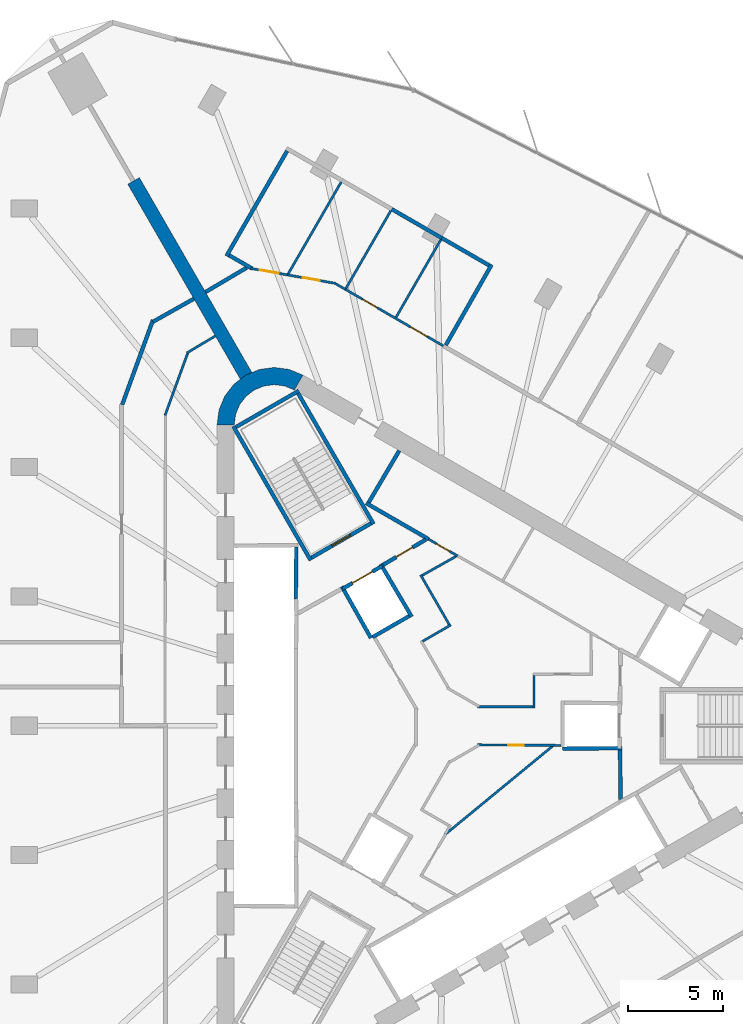
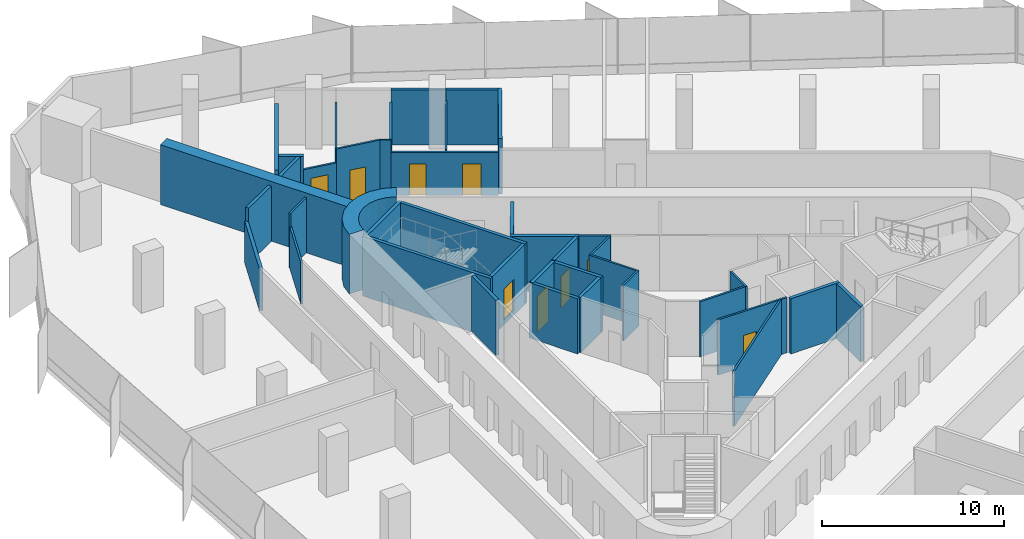
# One storey, part 10 of 14: 41 walls, 9 doors, 9 openings.
"""IFC4 building model written with IfcOpenShell, lengths in metres."""

from ifc_helpers import new_model, si_unit, direction, frame, frame_2d, origin, place, context, subcontext, project, spatial, polyline, rectangle, outline, extrude, material, layer, layer_set, type_object, element, fill, save


model = new_model("IFC4")

# Units and contexts
model_context = context("Model", 3, precision=1e-05, world=origin(), true_north=direction((0.0, 1.0)))
body_context = subcontext(model_context, "Body", "Model", "MODEL_VIEW")
ifc_project = project(units=[si_unit("LENGTHUNIT", "METRE"), si_unit("AREAUNIT", "SQUARE_METRE"), si_unit("VOLUMEUNIT", "CUBIC_METRE"), si_unit("PLANEANGLEUNIT", "RADIAN"), si_unit("MASSUNIT", "GRAM", prefix="KILO")], contexts=[model_context])

# Site, building, storey
site_placement = place(None, origin())
site = spatial("IfcSite", under=ifc_project, at=site_placement, CompositionType="ELEMENT")
building_placement = place(site_placement, origin())
building = spatial("IfcBuilding", under=site, at=building_placement, Name="Tanit Gate Tower", CompositionType="ELEMENT")
storey_placement = place(building_placement, frame((0.0, 0.0, 209.199951171875)))
storey = spatial("IfcBuildingStorey", under=building, at=storey_placement, Name="L46", CompositionType="ELEMENT", Elevation=209.199951171875)

# Walls
ifc_material_1 = material(Name="Concrete C50/60", Category="concrete")
ifc_layer_1 = layer(ifc_material_1, 0.699951171875)
ifc_layer_set_1 = layer_set([ifc_layer_1], Name="BUTTRESS FIN 700 C50/60")
wall_type_1 = type_object("IfcWallType", Name="BUTTRESS FIN 700 C50/60", PredefinedType="SHEAR", material=ifc_layer_set_1)
wall_1_placement = place(storey_placement, frame((-10.574951171875, 18.31640625, 0.0), z_axis=(0.0, 0.0, 1.0), x_axis=(-0.499999598486, 0.866025635599, 0.0)))
element("IfcWall", 1, at=wall_1_placement, inside=storey, type_object=wall_type_1, Name="BUTTRESS FIN", PredefinedType="SHEAR", context=body_context, shape_type="SweptSolid", body=[
    extrude(rectangle(XDim=11.7939453125, YDim=0.699951171875, at=frame_2d((5.89697265625, 0.0))), origin(), (0.0, 0.0, 1.0), 4.0),
])
ifc_material_2 = material(Name="Concrete C50/60", Category="concrete")
ifc_layer_2 = layer(ifc_material_2, 0.89990234375)
ifc_layer_set_2 = layer_set([ifc_layer_2], Name="CORE WALL 900 C50/60")
wall_type_2 = type_object("IfcWallType", Name="CORE WALL 900 C50/60", PredefinedType="SHEAR", material=ifc_layer_set_2)
wall_2_placement = place(storey_placement, origin())
element("IfcWall", 2, at=wall_2_placement, inside=storey, type_object=wall_type_2, Name="CORE WALL CORNER", PredefinedType="SHEAR", context=body_context, shape_type="SweptSolid", body=[
    extrude(outline(polyline([(-7.60009765625, 18.359619140625), (-8.323486328125, 18.659423828125), (-9.10009765625, 18.76171875), (-9.87646484375, 18.659423828125), (-10.60009765625, 18.359619140625), (-11.22119140625, 17.883056640625), (-11.697998046875, 17.26171875), (-11.997802734375, 16.5380859375), (-12.10009765625, 15.76171875), (-11.199951171875, 15.76171875), (-11.12841796875, 16.30517578125), (-10.918701171875, 16.811767578125), (-10.5849609375, 17.24658203125), (-10.14990234375, 17.580322265625), (-9.6435546875, 17.7900390625), (-9.10009765625, 17.86181640625), (-8.556396484375, 17.7900390625), (-8.050048828125, 17.580322265625), (-7.60009765625, 18.359619140625)])), origin(), (0.0, 0.0, 1.0), 4.0),
])
ifc_material_3 = material(Name="Fire-rated gypsum board partition")
ifc_layer_3 = layer(ifc_material_3, 0.199951171875)
ifc_layer_set_3 = layer_set([ifc_layer_3], Name="INT-WALL-COMPARTMENT")
wall_type_3 = type_object("IfcWallType", Name="INT-WALL-COMPARTMENT", PredefinedType="PARTITIONING", material=ifc_layer_set_3)
wall_3_placement = place(storey_placement, frame((-4.295654296875, 11.659912109375, 0.0), z_axis=(0.0, 0.0, 1.0), x_axis=(0.866027389382, -0.499996560828, 0.0)))
element("IfcWall", 3, at=wall_3_placement, inside=storey, type_object=wall_type_3, Name="Wall Compartment W053", PredefinedType="PARTITIONING", context=body_context, shape_type="SweptSolid", body=[
    extrude(rectangle(XDim=3.77783203125, YDim=0.199951171875, at=frame_2d((1.888916015625, 0.0))), origin(), (0.0, 0.0, 1.0), 3.699951171875),
])
wall_4_placement = place(storey_placement, frame((-2.557861328125, 14.409423828125, 0.0), z_axis=(0.0, 0.0, 1.0), x_axis=(-0.508018930956, -0.861345903683, 0.0)))
element("IfcWall", 4, at=wall_4_placement, inside=storey, type_object=wall_type_3, Name="Wall Compartment W054", PredefinedType="PARTITIONING", context=body_context, shape_type="SweptSolid", body=[
    extrude(rectangle(XDim=3.150146484375, YDim=0.199951171875, at=frame_2d((1.5751953125, 0.0))), origin(), (0.0, 0.0, 1.0), 3.699951171875),
])
wall_5_placement = place(storey_placement, frame((9.02880859375, -3.8505859375, 0.0), z_axis=(0.0, 0.0, 1.0), x_axis=(-0.010784614026, 0.999941844359, 0.0)))
element("IfcWall", 5, at=wall_5_placement, inside=storey, type_object=wall_type_3, Name="Wall Compartment W059", PredefinedType="PARTITIONING", context=body_context, shape_type="SweptSolid", body=[
    extrude(rectangle(XDim=2.580810546875, YDim=0.199951171875, at=frame_2d((1.29052734375, 0.0))), origin(), (0.0, 0.0, 1.0), 3.699951171875),
])

# Wall, opening, door
wall_6_placement = place(storey_placement, frame((-1.1787109375, 9.744873046875, 0.0), z_axis=(0.0, 0.0, 1.0), x_axis=(-0.860630814782, -0.509229418482, 0.0)))
wall_6 = element("IfcWall", 6, at=wall_6_placement, inside=storey, type_object=wall_type_3, Name="Wall Compartment W062", PredefinedType="PARTITIONING", context=body_context, shape_type="SweptSolid", body=[
    extrude(rectangle(XDim=2.581787109375, YDim=0.199951171875, at=frame_2d((1.291015625, 0.0))), origin(), (0.0, 0.0, 1.0), 3.699951171875),
])
opening_1_placement = place(wall_6_placement, frame((0.791015625, 0.0, 0.0)))
opening_1 = element("IfcOpeningElement", 7, at=opening_1_placement, cuts=wall_6, Name="Opening F10-S12-05", PredefinedType="OPENING", context=body_context, shape_type="SweptSolid", body=[
    extrude(rectangle(XDim=1.0, YDim=2.10009765625, at=frame_2d((0.5, 1.050048828125))), frame((0.0, 0.10986328125, 0.0), z_axis=(0.0, -1.0, 0.0), x_axis=(1.0, 0.0, 0.0)), (0.0, 0.0, 1.0), 0.219970703125),
])
ifc_material_4 = material(Name="Fire-rated steel door leaf", Category="steel")
door_type_1 = type_object("IfcDoorType", Name="INT-DOOR-FIRE-1000", OperationType="NOTDEFINED", PredefinedType="USERDEFINED", material=ifc_material_4)
door_1_placement = place(opening_1_placement, origin())
door_1 = element("IfcDoor", 8, at=door_1_placement, inside=storey, type_object=door_type_1, Name="Door F10-S12-05", ObjectType="FIRE DOOR", OperationType="SINGLE_SWING_RIGHT", OverallHeight=2.10009765625, OverallWidth=1.0, PredefinedType="USERDEFINED", context=body_context, shape_type="SweptSolid", body=[
    extrude(rectangle(XDim=1.0, YDim=2.10009765625, at=frame_2d((0.5, 1.050048828125))), frame((0.0, 0.02490234375, 0.0), z_axis=(0.0, -1.0, 0.0), x_axis=(1.0, 0.0, 0.0)), (0.0, 0.0, 1.0), 0.050048828125),
])
fill(opening_1, door_1)

# Walls
wall_7_placement = place(storey_placement, frame((-15.456298828125, 21.238525390625, 0.0), z_axis=(0.0, 0.0, 1.0), x_axis=(-0.34205546997, -0.939679762187, 0.0)))
element("IfcWall", 9, at=wall_7_placement, inside=storey, type_object=wall_type_3, Name="Wall Compartment W093", PredefinedType="PARTITIONING", context=body_context, shape_type="SweptSolid", body=[
    extrude(rectangle(XDim=4.705810546875, YDim=0.199951171875, at=frame_2d((2.35302734375, 0.0))), origin(), (0.0, 0.0, 1.0), 2.780029296875),
])
wall_8_placement = place(storey_placement, frame((-13.31298828125, 22.35888671875, 0.0), z_axis=(0.0, 0.0, 1.0), x_axis=(-0.87121710687, -0.490897904555, 0.0)))
element("IfcWall", 10, at=wall_8_placement, inside=storey, type_object=wall_type_3, Name="Wall Compartment W094", PredefinedType="PARTITIONING", context=body_context, shape_type="SweptSolid", body=[
    extrude(rectangle(XDim=2.457275390625, YDim=0.199951171875, at=frame_2d((1.228515625, 0.0))), origin(), (0.0, 0.0, 1.0), 3.699951171875),
])
wall_9_placement = place(storey_placement, frame((-10.5498046875, 23.984619140625, 0.0), z_axis=(0.0, 0.0, 1.0), x_axis=(-0.860742216303, -0.509041095663, 0.0)))
element("IfcWall", 11, at=wall_9_placement, inside=storey, type_object=wall_type_3, Name="Wall Compartment W102", PredefinedType="PARTITIONING", context=body_context, shape_type="SweptSolid", body=[
    extrude(rectangle(XDim=2.505859375, YDim=0.199951171875, at=frame_2d((1.2529296875, 0.0))), origin(), (0.0, 0.0, 1.0), 3.699951171875),
])
wall_10_placement = place(storey_placement, frame((2.277587890625, 24.146240234375, 0.0), z_axis=(0.0, 0.0, 1.0), x_axis=(-0.494609479201, -0.869115333592, 0.0)))
element("IfcWall", 12, at=wall_10_placement, inside=storey, type_object=wall_type_3, Name="Wall Compartment W129", PredefinedType="PARTITIONING", context=body_context, shape_type="SweptSolid", body=[
    extrude(rectangle(XDim=4.85009765625, YDim=0.199951171875, at=frame_2d((2.425048828125, 0.0))), origin(), (0.0, 0.0, 1.0), 3.699951171875),
])
wall_11_placement = place(storey_placement, frame((-2.954833984375, 27.0517578125, 0.0), z_axis=(0.0, 0.0, 1.0), x_axis=(0.865996229516, -0.50005052791, 0.0)))
element("IfcWall", 13, at=wall_11_placement, inside=storey, type_object=wall_type_3, Name="Wall Compartment W131", PredefinedType="PARTITIONING", context=body_context, shape_type="SweptSolid", body=[
    extrude(rectangle(XDim=3.027587890625, YDim=0.199951171875, at=frame_2d((1.513671875, 0.0))), origin(), (0.0, 0.0, 1.0), 3.699951171875),
])
wall_12_placement = place(storey_placement, frame((-0.3330078125, 25.537841796875, 0.0), z_axis=(0.0, 0.0, 1.0), x_axis=(0.866063225885, -0.499934484477, 0.0)))
element("IfcWall", 14, at=wall_12_placement, inside=storey, type_object=wall_type_3, Name="Wall Compartment W130", PredefinedType="PARTITIONING", context=body_context, shape_type="SweptSolid", body=[
    extrude(rectangle(XDim=2.857421875, YDim=0.199951171875, at=frame_2d((1.4287109375, 0.0))), origin(), (0.0, 0.0, 1.0), 3.699951171875),
])
wall_13_placement = place(storey_placement, frame((-8.4306640625, 30.09765625, 0.0), z_axis=(0.0, 0.0, 1.0), x_axis=(-0.500005339912, -0.866022320763, 0.0)))
element("IfcWall", 15, at=wall_13_placement, inside=storey, type_object=wall_type_3, Name="Wall Compartment W134", PredefinedType="PARTITIONING", context=body_context, shape_type="SweptSolid", body=[
    extrude(rectangle(XDim=6.35009765625, YDim=0.199951171875, at=frame_2d((3.175048828125, 0.0))), origin(), (0.0, 0.0, 1.0), 2.780029296875),
])
wall_14_placement = place(storey_placement, frame((-11.468994140625, 24.635009765625, 0.0), z_axis=(0.0, 0.0, 1.0), x_axis=(0.866030639775, -0.499990930889, 0.0)))
element("IfcWall", 16, at=wall_14_placement, inside=storey, type_object=wall_type_3, Name="Wall Compartment W135", PredefinedType="PARTITIONING", context=body_context, shape_type="SweptSolid", body=[
    extrude(rectangle(XDim=1.390625, YDim=0.199951171875, at=frame_2d((0.6953125, 0.0))), origin(), (0.0, 0.0, 1.0), 3.699951171875),
])

# Wall, opening, door
ifc_material_5 = material(Name="Gypsum board partition")
ifc_layer_4 = layer(ifc_material_5, 0.1201171875)
ifc_layer_set_4 = layer_set([ifc_layer_4], Name="INT-WALL-PARTITION")
wall_type_4 = type_object("IfcWallType", Name="INT-WALL-PARTITION", PredefinedType="PARTITIONING", material=ifc_layer_set_4)
wall_15_placement = place(storey_placement, frame((-1.02392578125, 9.77099609375, 0.0), z_axis=(0.0, 0.0, 1.0), x_axis=(0.866039397417, -0.499975761534, 0.0)))
wall_15 = element("IfcWall", 17, at=wall_15_placement, inside=storey, type_object=wall_type_4, Name="Wall Partition W056", PredefinedType="PARTITIONING", context=body_context, shape_type="SweptSolid", body=[
    extrude(rectangle(XDim=1.751953125, YDim=0.1201171875, at=frame_2d((0.8759765625, 0.0))), origin(), (0.0, 0.0, 1.0), 3.699951171875),
])
opening_2_placement = place(wall_15_placement, frame((0.4658203125, 0.0, 0.0)))
opening_2 = element("IfcOpeningElement", 18, at=opening_2_placement, cuts=wall_15, Name="Opening R08-S12-15", PredefinedType="OPENING", context=body_context, shape_type="SweptSolid", body=[
    extrude(rectangle(XDim=0.800048828125, YDim=2.10009765625, at=frame_2d((0.39990234375, 1.050048828125))), frame((0.0, 0.070068359375, 0.0), z_axis=(0.0, -1.0, 0.0), x_axis=(1.0, 0.0, 0.0)), (0.0, 0.0, 1.0), 0.14013671875),
])
ifc_material_6 = material(Name="Timber door leaf", Category="wood")
door_type_2 = type_object("IfcDoorType", Name="INT-DOOR-RISER-800", OperationType="NOTDEFINED", PredefinedType="USERDEFINED", material=ifc_material_6)
door_2_placement = place(opening_2_placement, origin())
door_2 = element("IfcDoor", 19, at=door_2_placement, inside=storey, type_object=door_type_2, Name="Door R08-S12-15", ObjectType="FIRE DOOR", OperationType="SINGLE_SWING_RIGHT", OverallHeight=2.10009765625, OverallWidth=0.800048828125, PredefinedType="USERDEFINED", context=body_context, shape_type="SweptSolid", body=[
    extrude(rectangle(XDim=0.800048828125, YDim=2.10009765625, at=frame_2d((0.39990234375, 1.050048828125))), frame((0.0, 0.02490234375, 0.0), z_axis=(0.0, -1.0, 0.0), x_axis=(1.0, 0.0, 0.0)), (0.0, 0.0, 1.0), 0.050048828125),
])
fill(opening_2, door_2)

# Wall
wall_16_placement = place(storey_placement, frame((5.5478515625, -1.0, 0.0), z_axis=(0.0, 0.0, 1.0), x_axis=(-0.772345431507, -0.635202750648, 0.0)))
element("IfcWall", 20, at=wall_16_placement, inside=storey, type_object=wall_type_4, Name="Wall Partition W068", PredefinedType="PARTITIONING", context=body_context, shape_type="SweptSolid", body=[
    extrude(rectangle(XDim=7.41455078125, YDim=0.1201171875, at=frame_2d((3.707275390625, 0.0))), origin(), (0.0, 0.0, 1.0), 3.699951171875),
])

# Wall, opening, door
wall_17_placement = place(storey_placement, frame((5.89990234375, -1.02880859375, 0.0), z_axis=(0.0, 0.0, 1.0), x_axis=(-0.999977012451, 0.006780454946, 0.0)))
wall_17 = element("IfcWall", 21, at=wall_17_placement, inside=storey, type_object=wall_type_4, Name="Wall Partition W071", PredefinedType="PARTITIONING", context=body_context, shape_type="SweptSolid", body=[
    extrude(rectangle(XDim=4.356689453125, YDim=0.1201171875, at=frame_2d((2.17822265625, 0.0))), origin(), (0.0, 0.0, 1.0), 3.699951171875),
])
opening_3_placement = place(wall_17_placement, frame((1.9541015625, 0.0, 0.0)))
opening_3 = element("IfcOpeningElement", 22, at=opening_3_placement, cuts=wall_17, Name="Opening R08-S12-12", PredefinedType="OPENING", context=body_context, shape_type="SweptSolid", body=[
    extrude(rectangle(XDim=0.800048828125, YDim=2.10009765625, at=frame_2d((0.39990234375, 1.050048828125))), frame((0.0, 0.070068359375, 0.0), z_axis=(0.0, -1.0, 0.0), x_axis=(1.0, 0.0, 0.0)), (0.0, 0.0, 1.0), 0.14013671875),
])
door_3_placement = place(opening_3_placement, origin())
door_3 = element("IfcDoor", 23, at=door_3_placement, inside=storey, type_object=door_type_2, Name="Door R08-S12-12", ObjectType="FIRE DOOR", OperationType="SINGLE_SWING_RIGHT", OverallHeight=2.10009765625, OverallWidth=0.800048828125, PredefinedType="USERDEFINED", context=body_context, shape_type="SweptSolid", body=[
    extrude(rectangle(XDim=0.800048828125, YDim=2.10009765625, at=frame_2d((0.39990234375, 1.050048828125))), frame((0.0, 0.02490234375, 0.0), z_axis=(0.0, -1.0, 0.0), x_axis=(1.0, 0.0, 0.0)), (0.0, 0.0, 1.0), 0.050048828125),
])
fill(opening_3, door_3)

# Walls
wall_18_placement = place(storey_placement, frame((4.5, 0.93994140625, 0.0), z_axis=(0.0, 0.0, 1.0), x_axis=(0.0, 1.0, 0.0)))
element("IfcWall", 24, at=wall_18_placement, inside=storey, type_object=wall_type_4, Name="Wall Partition W079", PredefinedType="PARTITIONING", context=body_context, shape_type="SweptSolid", body=[
    extrude(rectangle(XDim=1.699951171875, YDim=0.1201171875, at=frame_2d((0.85009765625, 0.0))), origin(), (0.0, 0.0, 1.0), 3.699951171875),
])
wall_19_placement = place(storey_placement, frame((1.54150390625, 1.0, 0.0), z_axis=(0.0, 0.0, 1.0), x_axis=(1.0, 0.0, 0.0)))
element("IfcWall", 25, at=wall_19_placement, inside=storey, type_object=wall_type_4, Name="Wall Partition W080", PredefinedType="PARTITIONING", context=body_context, shape_type="SweptSolid", body=[
    extrude(rectangle(XDim=2.8984375, YDim=0.1201171875, at=frame_2d((1.44921875, 0.0))), origin(), (0.0, 0.0, 1.0), 3.699951171875),
])
wall_20_placement = place(storey_placement, frame((0.14013671875, 5.277099609375, 0.0), z_axis=(0.0, 0.0, 1.0), x_axis=(-0.865989465428, -0.500062241894, 0.0)))
element("IfcWall", 26, at=wall_20_placement, inside=storey, type_object=wall_type_4, Name="Wall Partition W083", PredefinedType="PARTITIONING", context=body_context, shape_type="SweptSolid", body=[
    extrude(rectangle(XDim=1.699951171875, YDim=0.1201171875, at=frame_2d((0.85009765625, 0.0))), origin(), (0.0, 0.0, 1.0), 3.699951171875),
])
wall_21_placement = place(storey_placement, frame((-1.441650390625, 7.897216796875, 0.0), z_axis=(0.0, 0.0, 1.0), x_axis=(0.499990139034, -0.866031096941, 0.0)))
element("IfcWall", 27, at=wall_21_placement, inside=storey, type_object=wall_type_4, Name="Wall Partition W084", PredefinedType="PARTITIONING", context=body_context, shape_type="SweptSolid", body=[
    extrude(rectangle(XDim=3.0, YDim=0.1201171875, at=frame_2d((1.5, 0.0))), origin(), (0.0, 0.0, 1.0), 3.699951171875),
])
wall_22_placement = place(storey_placement, frame((0.414306640625, 8.87109375, 0.0), z_axis=(0.0, 0.0, 1.0), x_axis=(-0.871809386997, -0.48984527429, 0.0)))
element("IfcWall", 28, at=wall_22_placement, inside=storey, type_object=wall_type_4, Name="Wall Partition W085", PredefinedType="PARTITIONING", context=body_context, shape_type="SweptSolid", body=[
    extrude(rectangle(XDim=2.034423828125, YDim=0.1201171875, at=frame_2d((1.01708984375, 0.0))), origin(), (0.0, 0.0, 1.0), 3.699951171875),
])
wall_23_placement = place(storey_placement, frame((-12.188720703125, 20.411376953125, 0.0), z_axis=(0.0, 0.0, 1.0), x_axis=(-0.858492721014, -0.51282574815, 0.0)))
element("IfcWall", 29, at=wall_23_placement, inside=storey, type_object=wall_type_4, Name="Wall Partition W086", PredefinedType="PARTITIONING", context=body_context, shape_type="SweptSolid", body=[
    extrude(rectangle(XDim=1.742431640625, YDim=0.1201171875, at=frame_2d((0.87109375, 0.0))), origin(), (0.0, 0.0, 1.0), 3.699951171875),
])
wall_24_placement = place(storey_placement, frame((-13.630615234375, 19.529541015625, 0.0), z_axis=(0.0, 0.0, 1.0), x_axis=(-0.342069878069, -0.939674517329, 0.0)))
element("IfcWall", 30, at=wall_24_placement, inside=storey, type_object=wall_type_4, Name="Wall Partition W087", PredefinedType="PARTITIONING", context=body_context, shape_type="SweptSolid", body=[
    extrude(rectangle(XDim=3.478759765625, YDim=0.1201171875, at=frame_2d((1.7392578125, 0.0))), origin(), (0.0, 0.0, 1.0), 2.780029296875),
])

# Wall, openings, doors
wall_25_placement = place(storey_placement, frame((-0.257568359375, 19.89404296875, 0.0), z_axis=(0.0, 0.0, 1.0), x_axis=(-0.866014429462, 0.500019007602, 0.0)))
wall_25 = element("IfcWall", 31, at=wall_25_placement, inside=storey, type_object=wall_type_4, Name="Wall Partition W104", PredefinedType="PARTITIONING", context=body_context, shape_type="SweptSolid", body=[
    extrude(rectangle(XDim=5.914794921875, YDim=0.1201171875, at=frame_2d((2.95751953125, 0.0))), origin(), (0.0, 0.0, 1.0), 2.880126953125),
])
opening_4_placement = place(wall_25_placement, frame((0.9736328125, 0.0, 0.0)))
opening_4 = element("IfcOpeningElement", 32, at=opening_4_placement, cuts=wall_25, Name="Opening D10-S12-21", PredefinedType="OPENING", context=body_context, shape_type="SweptSolid", body=[
    extrude(rectangle(XDim=1.0, YDim=2.10009765625, at=frame_2d((0.5, 1.050048828125))), frame((0.0, 0.070068359375, 0.0), z_axis=(0.0, -1.0, 0.0), x_axis=(1.0, 0.0, 0.0)), (0.0, 0.0, 1.0), 0.14013671875),
])
opening_5_placement = place(wall_25_placement, frame((3.98095703125, 0.0, 0.0)))
opening_5 = element("IfcOpeningElement", 33, at=opening_5_placement, cuts=wall_25, Name="Opening D09-S12-22", PredefinedType="OPENING", context=body_context, shape_type="SweptSolid", body=[
    extrude(rectangle(XDim=0.89990234375, YDim=2.10009765625, at=frame_2d((0.449951171875, 1.050048828125))), frame((0.0, 0.070068359375, 0.0), z_axis=(0.0, -1.0, 0.0), x_axis=(1.0, 0.0, 0.0)), (0.0, 0.0, 1.0), 0.14013671875),
])
ifc_material_7 = material(Name="Timber door leaf", Category="wood")
door_type_3 = type_object("IfcDoorType", Name="INT-DOOR-SINGLE-1000", OperationType="NOTDEFINED", PredefinedType="NOTDEFINED", material=ifc_material_7)
door_4_placement = place(opening_4_placement, origin())
door_4 = element("IfcDoor", 34, at=door_4_placement, inside=storey, type_object=door_type_3, Name="Door D10-S12-21", OperationType="SINGLE_SWING_LEFT", OverallHeight=2.10009765625, OverallWidth=1.0, PredefinedType="NOTDEFINED", context=body_context, shape_type="SweptSolid", body=[
    extrude(rectangle(XDim=1.0, YDim=2.10009765625, at=frame_2d((0.5, 1.050048828125))), frame((0.0, 0.02490234375, 0.0), z_axis=(0.0, -1.0, 0.0), x_axis=(1.0, 0.0, 0.0)), (0.0, 0.0, 1.0), 0.050048828125),
])
fill(opening_4, door_4)
ifc_material_8 = material(Name="Timber door leaf", Category="wood")
door_type_4 = type_object("IfcDoorType", Name="INT-DOOR-SINGLE-900", OperationType="NOTDEFINED", PredefinedType="NOTDEFINED", material=ifc_material_8)
door_5_placement = place(opening_5_placement, origin())
door_5 = element("IfcDoor", 35, at=door_5_placement, inside=storey, type_object=door_type_4, Name="Door D09-S12-22", OperationType="SINGLE_SWING_LEFT", OverallHeight=2.10009765625, OverallWidth=0.89990234375, PredefinedType="NOTDEFINED", context=body_context, shape_type="SweptSolid", body=[
    extrude(rectangle(XDim=0.89990234375, YDim=2.10009765625, at=frame_2d((0.449951171875, 1.050048828125))), frame((0.0, 0.02490234375, 0.0), z_axis=(0.0, -1.0, 0.0), x_axis=(1.0, 0.0, 0.0)), (0.0, 0.0, 1.0), 0.050048828125),
])
fill(opening_5, door_5)

# Wall
wall_26_placement = place(storey_placement, frame((-5.3798828125, 22.8515625, 0.0), z_axis=(0.0, 0.0, 1.0), x_axis=(-0.866129309467, 0.499819986878, 0.0)))
element("IfcWall", 36, at=wall_26_placement, inside=storey, type_object=wall_type_4, Name="Wall Partition W107", PredefinedType="PARTITIONING", context=body_context, shape_type="SweptSolid", body=[
    extrude(rectangle(XDim=0.577880859375, YDim=0.1201171875, at=frame_2d((0.2890625, 0.0))), origin(), (0.0, 0.0, 1.0), 3.699951171875),
])

# Wall, opening, door
wall_27_placement = place(storey_placement, frame((-5.873046875, 23.159912109375, 0.0), z_axis=(0.0, 0.0, 1.0), x_axis=(-0.984810190637, 0.173634352644, 0.0)))
wall_27 = element("IfcWall", 37, at=wall_27_placement, inside=storey, type_object=wall_type_4, Name="Wall Partition W106", PredefinedType="PARTITIONING", context=body_context, shape_type="SweptSolid", body=[
    extrude(rectangle(XDim=2.5830078125, YDim=0.1201171875, at=frame_2d((1.29150390625, 0.0))), origin(), (0.0, 0.0, 1.0), 3.699951171875),
])
opening_6_placement = place(wall_27_placement, frame((0.87158203125, 0.0, 0.0)))
opening_6 = element("IfcOpeningElement", 38, at=opening_6_placement, cuts=wall_27, Name="Opening D09-S12-23", PredefinedType="OPENING", context=body_context, shape_type="SweptSolid", body=[
    extrude(rectangle(XDim=0.89990234375, YDim=2.10009765625, at=frame_2d((0.449951171875, 1.050048828125))), frame((0.0, 0.070068359375, 0.0), z_axis=(0.0, -1.0, 0.0), x_axis=(1.0, 0.0, 0.0)), (0.0, 0.0, 1.0), 0.14013671875),
])
door_6_placement = place(opening_6_placement, origin())
door_6 = element("IfcDoor", 39, at=door_6_placement, inside=storey, type_object=door_type_4, Name="Door D09-S12-23", OperationType="SINGLE_SWING_LEFT", OverallHeight=2.10009765625, OverallWidth=0.89990234375, PredefinedType="NOTDEFINED", context=body_context, shape_type="SweptSolid", body=[
    extrude(rectangle(XDim=0.89990234375, YDim=2.10009765625, at=frame_2d((0.449951171875, 1.050048828125))), frame((0.0, 0.02490234375, 0.0), z_axis=(0.0, -1.0, 0.0), x_axis=(1.0, 0.0, 0.0)), (0.0, 0.0, 1.0), 0.050048828125),
])
fill(opening_6, door_6)

wall_28_placement = place(storey_placement, frame((-8.416748046875, 23.6083984375, 0.0), z_axis=(0.0, 0.0, 1.0), x_axis=(-0.984793637517, 0.173728211601, 0.0)))
wall_28 = element("IfcWall", 40, at=wall_28_placement, inside=storey, type_object=wall_type_4, Name="Wall Partition W108", PredefinedType="PARTITIONING", context=body_context, shape_type="SweptSolid", body=[
    extrude(rectangle(XDim=1.950439453125, YDim=0.1201171875, at=frame_2d((0.97509765625, 0.0))), origin(), (0.0, 0.0, 1.0), 2.780029296875),
])
opening_7_placement = place(wall_28_placement, frame((0.47509765625, 0.0, 0.0)))
opening_7 = element("IfcOpeningElement", 41, at=opening_7_placement, cuts=wall_28, Name="Opening D10-S12-24", PredefinedType="OPENING", context=body_context, shape_type="SweptSolid", body=[
    extrude(rectangle(XDim=1.0, YDim=2.10009765625, at=frame_2d((0.5, 1.050048828125))), frame((0.0, 0.070068359375, 0.0), z_axis=(0.0, -1.0, 0.0), x_axis=(1.0, 0.0, 0.0)), (0.0, 0.0, 1.0), 0.14013671875),
])
door_7_placement = place(opening_7_placement, origin())
door_7 = element("IfcDoor", 42, at=door_7_placement, inside=storey, type_object=door_type_3, Name="Door D10-S12-24", OperationType="SINGLE_SWING_RIGHT", OverallHeight=2.10009765625, OverallWidth=1.0, PredefinedType="NOTDEFINED", context=body_context, shape_type="SweptSolid", body=[
    extrude(rectangle(XDim=1.0, YDim=2.10009765625, at=frame_2d((0.5, 1.050048828125))), frame((0.0, 0.02490234375, 0.0), z_axis=(0.0, -1.0, 0.0), x_axis=(1.0, 0.0, 0.0)), (0.0, 0.0, 1.0), 0.050048828125),
])
fill(opening_7, door_7)

# Walls
wall_29_placement = place(storey_placement, frame((-2.727783203125, 21.3896484375, 0.0), z_axis=(0.0, 0.0, 1.0), x_axis=(0.500007844523, 0.866020874699, 0.0)))
element("IfcWall", 43, at=wall_29_placement, inside=storey, type_object=wall_type_4, Name="Wall Partition W145", PredefinedType="PARTITIONING", context=body_context, shape_type="SweptSolid", body=[
    extrude(rectangle(XDim=4.68994140625, YDim=0.1201171875, at=frame_2d((2.344970703125, 0.0))), origin(), (0.0, 0.0, 1.0), 2.97998046875),
])
wall_30_placement = place(storey_placement, frame((-5.349853515625, 22.9033203125, 0.0), z_axis=(0.0, 0.0, 1.0), x_axis=(0.499985303776, 0.866033888487, 0.0)))
element("IfcWall", 44, at=wall_30_placement, inside=storey, type_object=wall_type_4, Name="Wall Partition W146", PredefinedType="PARTITIONING", context=body_context, shape_type="SweptSolid", body=[
    extrude(rectangle(XDim=4.690185546875, YDim=0.1201171875, at=frame_2d((2.34521484375, 0.0))), origin(), (0.0, 0.0, 1.0), 2.880126953125),
])
wall_31_placement = place(storey_placement, frame((-8.375244140625, 23.662109375, 0.0), z_axis=(0.0, 0.0, 1.0), x_axis=(0.500031131263, 0.866007429395, 0.0)))
element("IfcWall", 45, at=wall_31_placement, inside=storey, type_object=wall_type_4, Name="Wall Partition W147", PredefinedType="PARTITIONING", context=body_context, shape_type="SweptSolid", body=[
    extrude(rectangle(XDim=5.545654296875, YDim=0.1201171875, at=frame_2d((2.77294921875, 0.0))), origin(), (0.0, 0.0, 1.0), 2.880126953125),
])
ifc_material_9 = material(Name="Gypsum shaft wall system")
ifc_layer_5 = layer(ifc_material_9, 0.199951171875)
ifc_layer_set_5 = layer_set([ifc_layer_5], Name="INT-WALL-SHAFT")
wall_type_5 = type_object("IfcWallType", Name="INT-WALL-SHAFT", PredefinedType="PLUMBINGWALL", material=ifc_layer_set_5)
wall_32_placement = place(storey_placement, frame((-7.951171875, 9.35009765625, 0.0), z_axis=(0.0, 0.0, 1.0), x_axis=(-0.011120469654, -0.999938165666, 0.0)))
element("IfcWall", 46, at=wall_32_placement, inside=storey, type_object=wall_type_5, Name="Wall Shaft W002", PredefinedType="PLUMBINGWALL", context=body_context, shape_type="SweptSolid", body=[
    extrude(rectangle(XDim=2.700439453125, YDim=0.199951171875, at=frame_2d((1.35009765625, 0.0))), origin(), (0.0, 0.0, 1.0), 3.699951171875),
])
wall_33_placement = place(storey_placement, frame((9.10009765625, -1.1689453125, 0.0), z_axis=(0.0, 0.0, 1.0), x_axis=(-0.999949988, -0.010001074852, 0.0)))
element("IfcWall", 47, at=wall_33_placement, inside=storey, type_object=wall_type_5, Name="Wall Shaft W030", PredefinedType="PLUMBINGWALL", context=body_context, shape_type="SweptSolid", body=[
    extrude(rectangle(XDim=3.100341796875, YDim=0.199951171875, at=frame_2d((1.55029296875, 0.0))), origin(), (0.0, 0.0, 1.0), 3.699951171875),
])

# Wall, opening, door
wall_34_placement = place(storey_placement, frame((-5.524169921875, 7.168212890625, 0.0), z_axis=(0.0, 0.0, 1.0), x_axis=(0.866024647952, 0.500001309137, 0.0)))
wall_34 = element("IfcWall", 48, at=wall_34_placement, inside=storey, type_object=wall_type_5, Name="Wall Shaft W037", PredefinedType="PLUMBINGWALL", context=body_context, shape_type="SweptSolid", body=[
    extrude(rectangle(XDim=2.39990234375, YDim=0.199951171875, at=frame_2d((1.199951171875, 0.0))), origin(), (0.0, 0.0, 1.0), 3.699951171875),
])
opening_8_placement = place(wall_34_placement, frame((0.60009765625, 0.0, 0.0)))
opening_8 = element("IfcOpeningElement", 49, at=opening_8_placement, cuts=wall_34, Name="Opening LDFL2-L46", PredefinedType="OPENING", context=body_context, shape_type="SweptSolid", body=[
    extrude(rectangle(XDim=1.199951171875, YDim=2.39990234375, at=frame_2d((0.60009765625, 1.199951171875))), frame((0.0, 0.10986328125, 0.0), z_axis=(0.0, -1.0, 0.0), x_axis=(1.0, 0.0, 0.0)), (0.0, 0.0, 1.0), 0.219970703125),
])
ifc_material_10 = material(Name="Stainless steel sliding door leaf", Category="steel")
door_type_5 = type_object("IfcDoorType", Name="INT-DOOR-LANDING-1200", OperationType="NOTDEFINED", PredefinedType="USERDEFINED", material=ifc_material_10)
door_8_placement = place(opening_8_placement, origin())
door_8 = element("IfcDoor", 50, at=door_8_placement, inside=storey, type_object=door_type_5, Name="Door LDFL2-L46", ObjectType="LANDING DOOR", OperationType="SLIDING_TO_LEFT", OverallHeight=2.39990234375, OverallWidth=1.199951171875, PredefinedType="USERDEFINED", context=body_context, shape_type="SweptSolid", body=[
    extrude(rectangle(XDim=1.199951171875, YDim=2.39990234375, at=frame_2d((0.60009765625, 1.199951171875))), frame((0.0, 0.02490234375, 0.0), z_axis=(0.0, -1.0, 0.0), x_axis=(1.0, 0.0, 0.0)), (0.0, 0.0, 1.0), 0.050048828125),
])
fill(opening_8, door_8)

# Walls
wall_35_placement = place(storey_placement, frame((-4.039306640625, 4.59619140625, 0.0), z_axis=(0.0, 0.0, 1.0), x_axis=(-0.491322718731, 0.870977603649, 0.0)))
element("IfcWall", 51, at=wall_35_placement, inside=storey, type_object=wall_type_5, Name="Wall Shaft W038", PredefinedType="PLUMBINGWALL", context=body_context, shape_type="SweptSolid", body=[
    extrude(rectangle(XDim=3.10009765625, YDim=0.199951171875, at=frame_2d((1.550048828125, 0.0))), origin(), (0.0, 0.0, 1.0), 3.699951171875),
])
wall_36_placement = place(storey_placement, frame((-3.53759765625, 8.46533203125, 0.0), z_axis=(0.0, 0.0, 1.0), x_axis=(0.508616218331, -0.860993346345, 0.0)))
element("IfcWall", 52, at=wall_36_placement, inside=storey, type_object=wall_type_5, Name="Wall Shaft W039", PredefinedType="PLUMBINGWALL", context=body_context, shape_type="SweptSolid", body=[
    extrude(rectangle(XDim=3.2001953125, YDim=0.199951171875, at=frame_2d((1.60009765625, 0.0))), origin(), (0.0, 0.0, 1.0), 3.699951171875),
])
wall_37_placement = place(storey_placement, frame((-2.04736328125, 5.74609375, 0.0), z_axis=(0.0, 0.0, 1.0), x_axis=(-0.866019606374, -0.500010041276, 0.0)))
element("IfcWall", 53, at=wall_37_placement, inside=storey, type_object=wall_type_5, Name="Wall Shaft W040", PredefinedType="PLUMBINGWALL", context=body_context, shape_type="SweptSolid", body=[
    extrude(rectangle(XDim=2.20458984375, YDim=0.199951171875, at=frame_2d((1.102294921875, 0.0))), origin(), (0.0, 0.0, 1.0), 3.699951171875),
])
ifc_material_11 = material(Name="Concrete C40/50", Category="concrete")
ifc_layer_6 = layer(ifc_material_11, 0.199951171875)
ifc_layer_set_6 = layer_set([ifc_layer_6], Name="INT-WALL-STAIR")
wall_type_6 = type_object("IfcWallType", Name="INT-WALL-STAIR", PredefinedType="SHEAR", material=ifc_layer_set_6)
wall_38_placement = place(storey_placement, frame((-11.245361328125, 15.677734375, -0.300048828125), z_axis=(0.0, 0.0, 1.0), x_axis=(0.499977274689, -0.866038523851, 0.0)))
element("IfcWall", 54, at=wall_38_placement, inside=storey, type_object=wall_type_6, Name="Wall Stair W033", PredefinedType="SHEAR", context=body_context, shape_type="SweptSolid", body=[
    extrude(rectangle(XDim=8.10009765625, YDim=0.199951171875, at=frame_2d((4.050048828125, 0.0))), origin(), (0.0, 0.0, 1.0), 4.0),
])
wall_39_placement = place(storey_placement, frame((-7.81787109375, 17.541015625, -0.300048828125), z_axis=(0.0, 0.0, 1.0), x_axis=(-0.866044365799, -0.499967155389, 0.0)))
element("IfcWall", 55, at=wall_39_placement, inside=storey, type_object=wall_type_6, Name="Wall Stair W034", PredefinedType="SHEAR", context=body_context, shape_type="SweptSolid", body=[
    extrude(rectangle(XDim=3.800048828125, YDim=0.199951171875, at=frame_2d((1.89990234375, 0.0))), origin(), (0.0, 0.0, 1.0), 4.0),
])
wall_40_placement = place(storey_placement, frame((-7.8544921875, 17.404541015625, -0.300048828125), z_axis=(0.0, 0.0, 1.0), x_axis=(0.499997992926, -0.866026562566, 0.0)))
element("IfcWall", 56, at=wall_40_placement, inside=storey, type_object=wall_type_6, Name="Wall Stair W035", PredefinedType="SHEAR", context=body_context, shape_type="SweptSolid", body=[
    extrude(rectangle(XDim=7.89990234375, YDim=0.199951171875, at=frame_2d((3.949951171875, 0.0))), origin(), (0.0, 0.0, 1.0), 4.0),
])

# Wall, opening, door
wall_41_placement = place(storey_placement, frame((-7.158935546875, 8.799560546875, -0.300048828125), z_axis=(0.0, 0.0, 1.0), x_axis=(0.866047807691, 0.499961193289, 0.0)))
wall_41 = element("IfcWall", 57, at=wall_41_placement, inside=storey, type_object=wall_type_6, Name="Wall Stair W036", PredefinedType="SHEAR", context=body_context, shape_type="SweptSolid", body=[
    extrude(rectangle(XDim=3.599853515625, YDim=0.199951171875, at=frame_2d((1.7998046875, 0.0))), origin(), (0.0, 0.0, 1.0), 4.0),
])
opening_9_placement = place(wall_41_placement, frame((1.25, 0.0, 0.300048828125)))
opening_9 = element("IfcOpeningElement", 58, at=opening_9_placement, cuts=wall_41, Name="Opening S11-S12-04", PredefinedType="OPENING", context=body_context, shape_type="SweptSolid", body=[
    extrude(rectangle(XDim=1.10009765625, YDim=2.10009765625, at=frame_2d((0.550048828125, 1.050048828125))), frame((0.0, 0.10986328125, 0.0), z_axis=(0.0, -1.0, 0.0), x_axis=(1.0, 0.0, 0.0)), (0.0, 0.0, 1.0), 0.219970703125),
])
ifc_material_12 = material(Name="Timber door leaf", Category="wood")
door_type_6 = type_object("IfcDoorType", Name="INT-DOOR-STAIR-1100", OperationType="NOTDEFINED", PredefinedType="USERDEFINED", material=ifc_material_12)
door_9_placement = place(opening_9_placement, origin())
door_9 = element("IfcDoor", 59, at=door_9_placement, inside=storey, type_object=door_type_6, Name="Door S11-S12-04", ObjectType="FIRE DOOR", OperationType="SINGLE_SWING_RIGHT", OverallHeight=2.10009765625, OverallWidth=1.10009765625, PredefinedType="USERDEFINED", context=body_context, shape_type="SweptSolid", body=[
    extrude(rectangle(XDim=1.10009765625, YDim=2.10009765625, at=frame_2d((0.550048828125, 1.050048828125))), frame((0.0, 0.02490234375, 0.0), z_axis=(0.0, -1.0, 0.0), x_axis=(1.0, 0.0, 0.0)), (0.0, 0.0, 1.0), 0.050048828125),
])
fill(opening_9, door_9)

save(model, "model.ifc")
